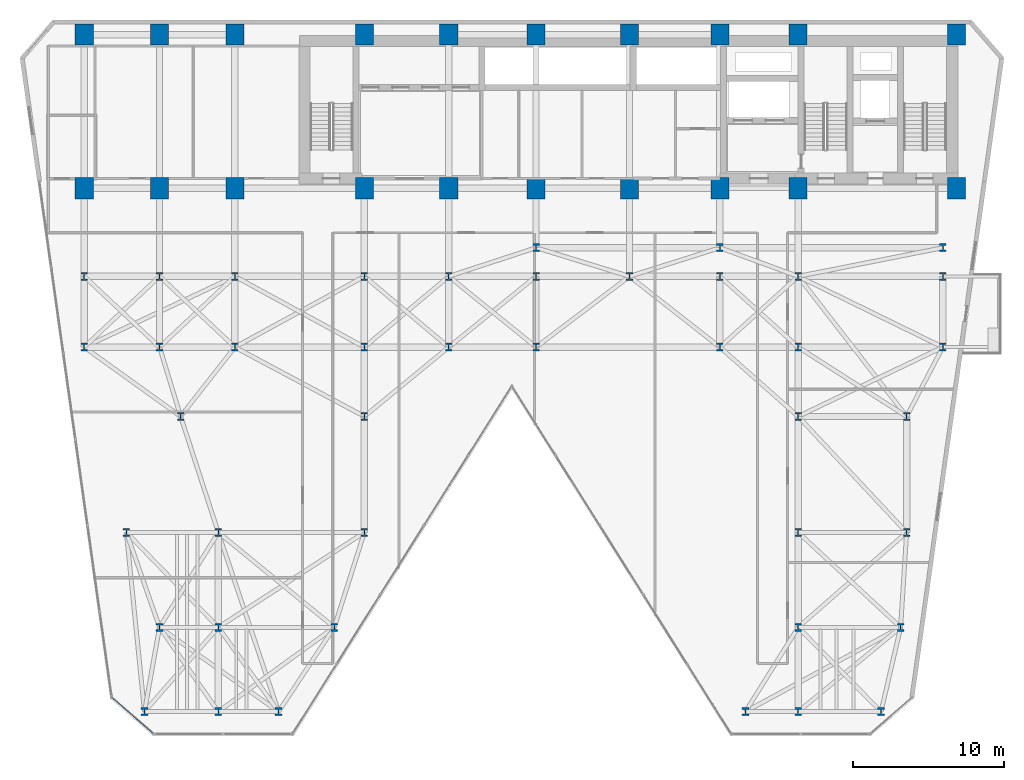
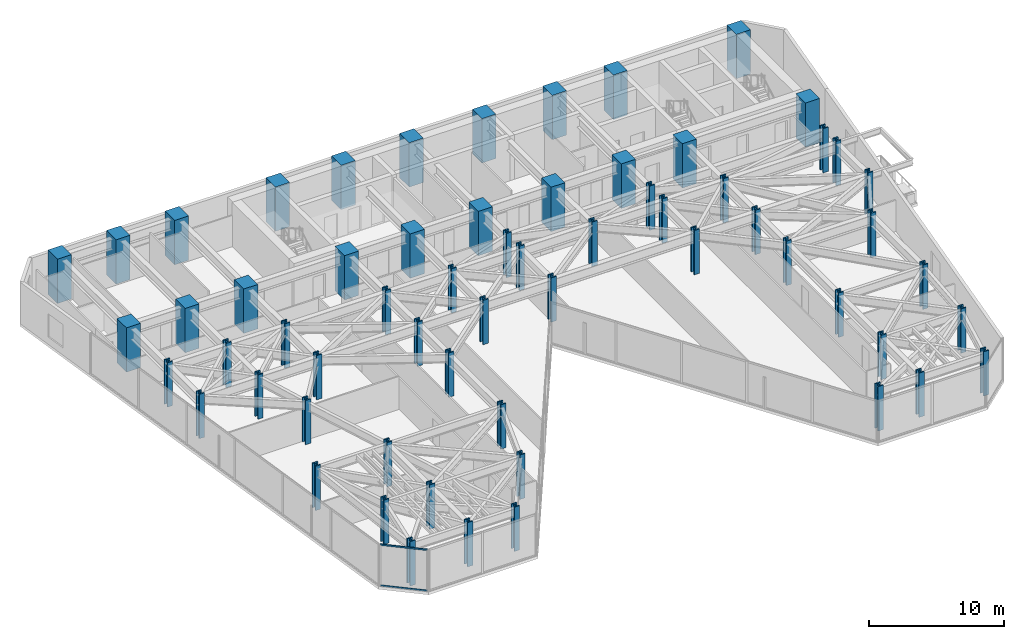
# One storey, part 1 of 24: 62 columns, 2 members, 1 element without a shape of its own.
"""IFC4 building model written with IfcOpenShell, lengths in metres."""

from ifc_helpers import new_model, si_unit, direction, frame, origin, origin_2d, place, context, subcontext, project, spatial, rectangle, hollow_rectangle, i_section, extrude, material, layer, layer_set, material_profile, profile_set, type_object, element, aggregate, save


model = new_model("IFC4")

# Units and contexts
model_context = context("Model", 3, precision=1e-05, world=origin(), true_north=direction((0.0, 1.0)))
body_context = subcontext(model_context, "Body", "Model", "MODEL_VIEW")
ifc_project = project(units=[si_unit("LENGTHUNIT", "METRE"), si_unit("AREAUNIT", "SQUARE_METRE"), si_unit("VOLUMEUNIT", "CUBIC_METRE"), si_unit("PLANEANGLEUNIT", "RADIAN"), si_unit("MASSUNIT", "GRAM", prefix="KILO")], contexts=[model_context])

# Site, building, storey
site_placement = place(None, origin())
site = spatial("IfcSite", under=ifc_project, at=site_placement, CompositionType="ELEMENT")
building_placement = place(site_placement, origin())
building = spatial("IfcBuilding", under=site, at=building_placement, Name="Kravanh Interchange Tower", CompositionType="ELEMENT")
storey_placement = place(building_placement, frame((0.0, 0.0, 45.5)))
storey = spatial("IfcBuildingStorey", under=building, at=storey_placement, Name="L10", CompositionType="ELEMENT", Elevation=45.5)

# Columns
ifc_material_1 = material(Name="Concrete C80/95", Category="concrete")
ifc_material_profile_1 = material_profile(ifc_material_1, rectangle(XDim=1.199951171875, YDim=1.39990234375, at=origin_2d()), Name="RC1200X1400")
ifc_profile_set_1 = profile_set([ifc_material_profile_1], Name="Concrete C80/95")
column_type_1 = type_object("IfcColumnType", Name="Column RC1200X1400 Concrete C80/95", PredefinedType="COLUMN", material=ifc_profile_set_1)
for number, where, z_axis, x_axis, name in (
    (1, (66.5, 47.550048828125, 0.0), (0.0, 0.0, 1.0), (1.0, 0.0, 0.0), "L10 Column CS01"),
    (2, (56.0, 47.550048828125, 0.0), (0.0, 0.0, 1.0), (1.0, 0.0, 0.0), "L10 Column CS02"),
    (3, (66.5, 37.35009765625, 0.0), (0.0, 0.0, 1.0), (1.0, 0.0, 0.0), "L10 Column CS03"),
    (4, (56.0, 37.35009765625, 0.0), (0.0, 0.0, 1.0), (1.0, 0.0, 0.0), "L10 Column CS04"),
    (5, (50.800048828125, 47.550048828125, 0.0), (0.0, 0.0, 1.0), (1.0, 0.0, 0.0), "L10 Column CS05"),
    (6, (50.800048828125, 37.35009765625, 0.0), (0.0, 0.0, 1.0), (1.0, 0.0, 0.0), "L10 Column CS06"),
    (7, (44.800048828125, 37.35009765625, 0.0), (0.0, 0.0, 1.0), (1.0, 0.0, 0.0), "L10 Column CS07"),
    (8, (44.800048828125, 47.550048828125, 0.0), (0.0, 0.0, 1.0), (1.0, 0.0, 0.0), "L10 Column CS08"),
    (9, (38.60009765625, 37.35009765625, 0.0), (0.0, 0.0, 1.0), (1.0, 0.0, 0.0), "L10 Column CS09"),
    (10, (38.60009765625, 47.550048828125, 0.0), (0.0, 0.0, 1.0), (1.0, 0.0, 0.0), "L10 Column CS10"),
    (11, (32.800048828125, 37.35009765625, 0.0), (0.0, 0.0, 1.0), (1.0, 0.0, 0.0), "L10 Column CS11"),
    (12, (32.800048828125, 47.550048828125, 0.0), (0.0, 0.0, 1.0), (1.0, 0.0, 0.0), "L10 Column CS12"),
    (13, (27.199951171875, 37.35009765625, 0.0), (0.0, 0.0, 1.0), (1.0, 0.0, 0.0), "L10 Column CS13"),
    (14, (27.199951171875, 47.550048828125, 0.0), (0.0, 0.0, 1.0), (1.0, 0.0, 0.0), "L10 Column CS14"),
    (15, (18.60009765625, 37.35009765625, 0.0), (0.0, 0.0, 1.0), (1.0, 0.0, 0.0), "L10 Column CS17"),
    (16, (18.60009765625, 47.550048828125, 0.0), (0.0, 0.0, 1.0), (1.0, 0.0, 0.0), "L10 Column CS18"),
    (17, (13.60009765625, 37.35009765625, 0.0), (0.0, 0.0, 1.0), (1.0, 0.0, 0.0), "L10 Column CS19"),
    (18, (13.60009765625, 47.550048828125, 0.0), (0.0, 0.0, 1.0), (1.0, 0.0, 0.0), "L10 Column CS20"),
    (19, (8.60009765625, 37.35009765625, 0.0), (0.0, 0.0, 1.0), (1.0, 0.0, 0.0), "L10 Column CS21"),
    (20, (8.60009765625, 47.550048828125, 0.0), (0.0, 0.0, 1.0), (1.0, 0.0, 0.0), "L10 Column CS22"),
):
    element("IfcColumn", number, at=place(storey_placement, frame(where, z_axis=z_axis, x_axis=x_axis)), inside=storey, type_object=column_type_1, Name=name, PredefinedType="COLUMN", context=body_context, shape_type="SweptSolid", body=[
        extrude(rectangle(XDim=1.199951171875, YDim=1.39990234375, at=origin_2d()), origin(), (0.0, 0.0, 1.0), 4.0),
    ])
ifc_material_2 = material(Name="Structural Steel S450", Category="steel")
ifc_material_profile_2 = material_profile(ifc_material_2, i_section(OverallWidth=0.44189453125, OverallDepth=0.531005859375, WebThickness=0.06591796875, FlangeThickness=0.105712890625, FilletRadius=0.030029296875, at=origin_2d()), Name="W14X605")
ifc_profile_set_2 = profile_set([ifc_material_profile_2], Name="Structural Steel S450")
column_type_2 = type_object("IfcColumnType", Name="Column W14X605 Structural Steel S450", PredefinedType="COLUMN", material=ifc_profile_set_2)
for number, where, z_axis, x_axis, name in (
    (21, (12.60009765625, 2.60009765625, 0.0), (0.0, 0.0, 1.0), (1.0, 0.0, 0.0), "L10 Column CZ1_1"),
    (22, (56.0, 14.5, 0.0), (0.0, 0.0, 1.0), (1.0, 0.0, 0.0), "L10 Column CZ1_10"),
    (23, (63.199951171875, 14.5, 0.0), (0.0, 0.0, 1.0), (1.0, 0.0, 0.0), "L10 Column CZ1_11"),
    (24, (15.0, 22.199951171875, 0.0), (0.0, 0.0, 1.0), (1.0, 0.0, 0.0), "L10 Column CZ1_11B"),
    (25, (27.199951171875, 22.199951171875, 0.0), (0.0, 0.0, 1.0), (1.0, 0.0, 0.0), "L10 Column CZ1_11C"),
    (26, (56.0, 22.199951171875, 0.0), (0.0, 0.0, 1.0), (1.0, 0.0, 0.0), "L10 Column CZ1_11D"),
    (27, (63.199951171875, 22.199951171875, 0.0), (0.0, 0.0, 1.0), (1.0, 0.0, 0.0), "L10 Column CZ1_11E"),
    (28, (8.60009765625, 26.800048828125, 0.0), (0.0, 0.0, 1.0), (1.0, 0.0, 0.0), "L10 Column CZ1_12"),
    (29, (13.60009765625, 26.800048828125, 0.0), (0.0, 0.0, 1.0), (1.0, 0.0, 0.0), "L10 Column CZ1_13"),
    (30, (18.60009765625, 26.800048828125, 0.0), (0.0, 0.0, 1.0), (1.0, 0.0, 0.0), "L10 Column CZ1_14"),
    (31, (27.199951171875, 26.800048828125, 0.0), (0.0, 0.0, 1.0), (1.0, 0.0, 0.0), "L10 Column CZ1_15"),
    (32, (32.800048828125, 26.800048828125, 0.0), (0.0, 0.0, 1.0), (1.0, 0.0, 0.0), "L10 Column CZ1_16"),
    (33, (38.60009765625, 26.800048828125, 0.0), (0.0, 0.0, 1.0), (1.0, 0.0, 0.0), "L10 Column CZ1_16B"),
    (34, (50.800048828125, 26.800048828125, 0.0), (0.0, 0.0, 1.0), (1.0, 0.0, 0.0), "L10 Column CZ1_17"),
    (35, (56.0, 26.800048828125, 0.0), (0.0, 0.0, 1.0), (1.0, 0.0, 0.0), "L10 Column CZ1_18"),
    (36, (65.60009765625, 26.800048828125, 0.0), (0.0, 0.0, 1.0), (1.0, 0.0, 0.0), "L10 Column CZ1_19"),
    (37, (8.60009765625, 31.5, 0.0), (0.0, 0.0, 1.0), (1.0, 0.0, 0.0), "L10 Column CZ1_19B"),
    (38, (13.60009765625, 31.5, 0.0), (0.0, 0.0, 1.0), (1.0, 0.0, 0.0), "L10 Column CZ1_19C"),
    (39, (17.5, 2.60009765625, 0.0), (0.0, 0.0, 1.0), (1.0, 0.0, 0.0), "L10 Column CZ1_2"),
    (40, (18.60009765625, 31.5, 0.0), (0.0, 0.0, 1.0), (1.0, 0.0, 0.0), "L10 Column CZ1_20"),
    (41, (27.199951171875, 31.5, 0.0), (0.0, 0.0, 1.0), (1.0, 0.0, 0.0), "L10 Column CZ1_21"),
    (42, (32.800048828125, 31.5, 0.0), (0.0, 0.0, 1.0), (1.0, 0.0, 0.0), "L10 Column CZ1_22"),
    (43, (38.60009765625, 31.5, 0.0), (0.0, 0.0, 1.0), (1.0, 0.0, 0.0), "L10 Column CZ1_23"),
    (44, (44.800048828125, 31.5, 0.0), (0.0, 0.0, 1.0), (1.0, 0.0, 0.0), "L10 Column CZ1_24"),
    (45, (50.800048828125, 31.5, 0.0), (0.0, 0.0, 1.0), (1.0, 0.0, 0.0), "L10 Column CZ1_25"),
    (46, (56.0, 31.5, 0.0), (0.0, 0.0, 1.0), (1.0, 0.0, 0.0), "L10 Column CZ1_26"),
    (47, (65.60009765625, 31.5, 0.0), (0.0, 0.0, 1.0), (1.0, 0.0, 0.0), "L10 Column CZ1_27"),
    (48, (21.5, 2.60009765625, 0.0), (0.0, 0.0, 1.0), (1.0, 0.0, 0.0), "L10 Column CZ1_3"),
    (49, (52.5, 2.60009765625, 0.0), (0.0, 0.0, 1.0), (1.0, 0.0, 0.0), "L10 Column CZ1_4"),
    (50, (56.0, 2.60009765625, 0.0), (0.0, 0.0, 1.0), (1.0, 0.0, 0.0), "L10 Column CZ1_5"),
    (51, (61.5, 2.60009765625, 0.0), (0.0, 0.0, 1.0), (1.0, 0.0, 0.0), "L10 Column CZ1_5B"),
    (52, (13.60009765625, 8.199951171875, 0.0), (0.0, 0.0, 1.0), (1.0, 0.0, 0.0), "L10 Column CZ1_6"),
    (53, (17.5, 8.199951171875, 0.0), (0.0, 0.0, 1.0), (1.0, 0.0, 0.0), "L10 Column CZ1_6B"),
    (54, (25.199951171875, 8.199951171875, 0.0), (0.0, 0.0, 1.0), (1.0, 0.0, 0.0), "L10 Column CZ1_6C"),
    (55, (56.0, 8.199951171875, 0.0), (0.0, 0.0, 1.0), (1.0, 0.0, 0.0), "L10 Column CZ1_6D"),
    (56, (62.800048828125, 8.199951171875, 0.0), (0.0, 0.0, 1.0), (1.0, 0.0, 0.0), "L10 Column CZ1_6E"),
    (57, (11.39990234375, 14.5, 0.0), (0.0, 0.0, 1.0), (1.0, 0.0, 0.0), "L10 Column CZ1_7"),
    (58, (17.5, 14.5, 0.0), (0.0, 0.0, 1.0), (1.0, 0.0, 0.0), "L10 Column CZ1_7B"),
    (59, (27.199951171875, 14.5, 0.0), (0.0, 0.0, 1.0), (1.0, 0.0, 0.0), "L10 Column CZ1_8"),
    (60, (38.60009765625, 33.39990234375, 0.0), (0.0, 0.0, 1.0), (1.0, 0.0, 0.0), "L10 Column CZ1_M1"),
    (61, (50.800048828125, 33.39990234375, 0.0), (0.0, 0.0, 1.0), (1.0, 0.0, 0.0), "L10 Column CZ1_M2"),
    (62, (65.60009765625, 33.39990234375, 0.0), (0.0, 0.0, 1.0), (1.0, 0.0, 0.0), "L10 Column CZ1_M3"),
):
    element("IfcColumn", number, at=place(storey_placement, frame(where, z_axis=z_axis, x_axis=x_axis)), inside=storey, type_object=column_type_2, Name=name, PredefinedType="COLUMN", context=body_context, shape_type="SweptSolid", body=[
        extrude(i_section(OverallWidth=0.44189453125, OverallDepth=0.531005859375, WebThickness=0.06591796875, FlangeThickness=0.105712890625, FilletRadius=0.030029296875, at=origin_2d()), origin(), (0.0, 0.0, 1.0), 4.0),
    ])

# Curtain wall, members
ifc_material_3 = material(Name="Anodised Bronze Aluminium", Category="aluminium")
ifc_layer = layer(ifc_material_3, 0.179931640625)
ifc_layer_set = layer_set([ifc_layer], Name="Unitised Curtain Wall System CW-Z1 Lower Office")
curtain_wall_type = type_object("IfcCurtainWallType", Name="Unitised Curtain Wall System CW-Z1 Lower Office", PredefinedType="NOTDEFINED", material=ifc_layer_set)
curtain_wall_placement = place(storey_placement, origin())
curtain_wall = element("IfcCurtainWall", 63, at=curtain_wall_placement, inside=storey, type_object=curtain_wall_type, Name="L10 Unitised Curtain Wall CW-L10-07", PredefinedType="NOTDEFINED")
ifc_material_4 = material(Name="Anodised Bronze Aluminium", Category="aluminium")
ifc_material_profile_3 = material_profile(ifc_material_4, hollow_rectangle(XDim=0.06005859375, YDim=0.139892578125, WallThickness=0.00390625, at=origin_2d()), Name="ALU60X140X4")
ifc_profile_set_3 = profile_set([ifc_material_profile_3], Name="Anodised Bronze Aluminium")
member_type = type_object("IfcMemberType", Name="Curtain Wall Transom ALU60X140X4 Bronze", PredefinedType="USERDEFINED", material=ifc_profile_set_3)
member_1_placement = place(storey_placement, frame((13.167724609375, 1.166015625, 0.030029296875), z_axis=(-0.754710815466, 0.656057608004, 0.0), x_axis=(-0.656057608004, -0.754710815466, 0.0)))
member_1 = element("IfcMember", 64, at=member_1_placement, type_object=member_type, Name="CW-Z1 transom 1.1", ObjectType="TRANSOM", PredefinedType="USERDEFINED", context=body_context, shape_type="SweptSolid", body=[
    extrude(hollow_rectangle(XDim=0.06005859375, YDim=0.139892578125, WallThickness=0.00390625, at=origin_2d()), origin(), (0.0, 0.0, 1.0), 3.543701171875),
])
member_2_placement = place(storey_placement, frame((13.167724609375, 1.166015625, 3.7099609375), z_axis=(-0.754710815466, 0.656057608004, 0.0), x_axis=(-0.656057608004, -0.754710815466, 0.0)))
member_2 = element("IfcMember", 65, at=member_2_placement, type_object=member_type, Name="CW-Z1 transom 1.2", ObjectType="TRANSOM", PredefinedType="USERDEFINED", context=body_context, shape_type="SweptSolid", body=[
    extrude(hollow_rectangle(XDim=0.06005859375, YDim=0.139892578125, WallThickness=0.00390625, at=origin_2d()), origin(), (0.0, 0.0, 1.0), 3.543701171875),
])
aggregate(curtain_wall, [member_1, member_2])

save(model, "model.ifc")
